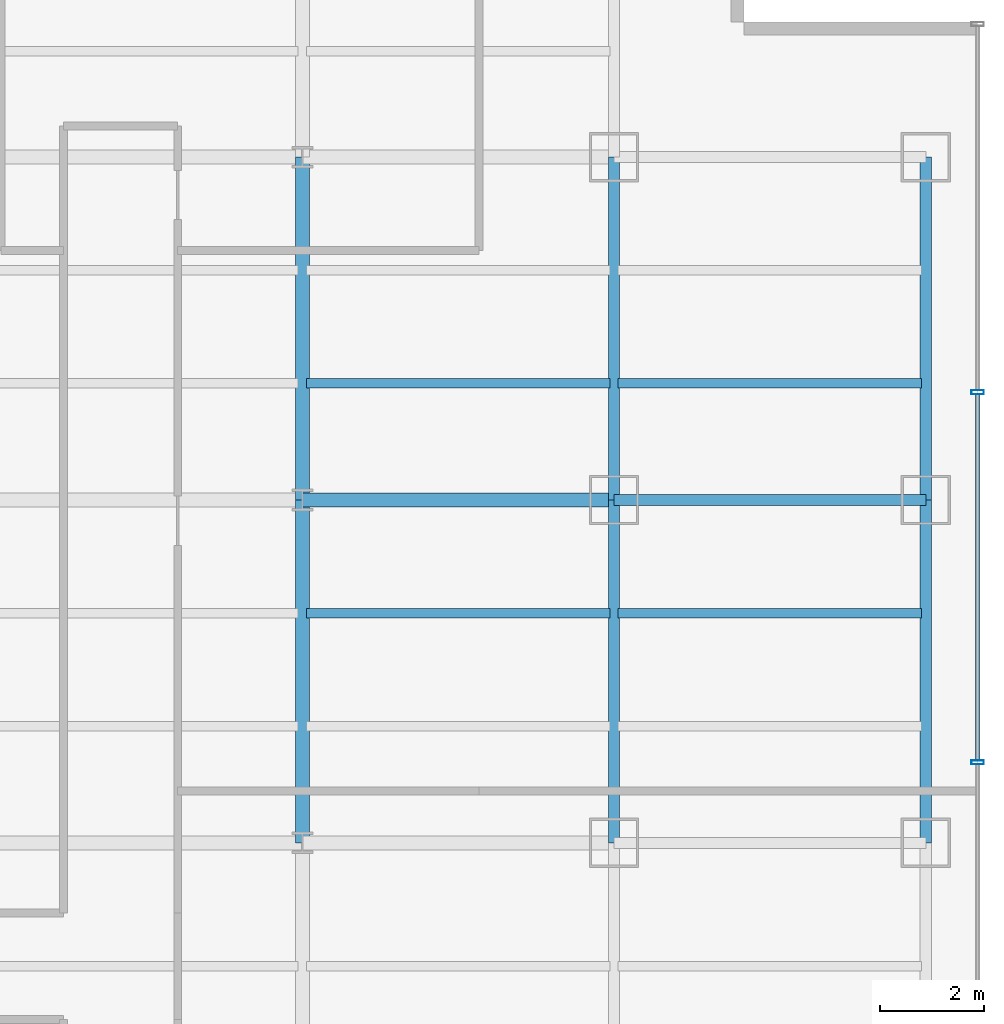
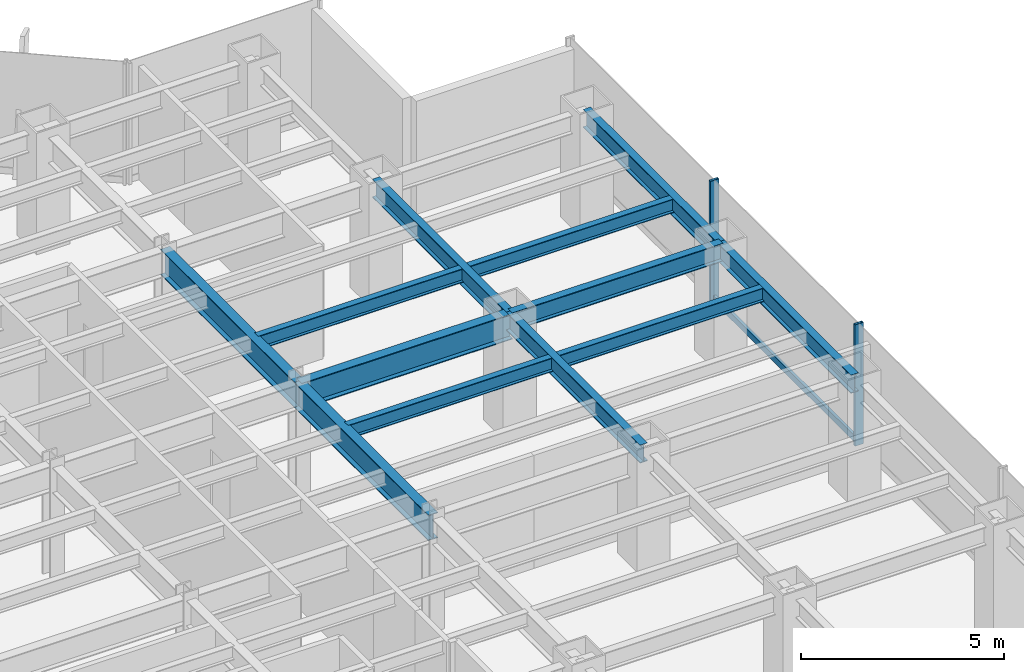
# One storey, part 9 of 22: 12 beams, 3 members, 1 element without a shape of its own.
"""IFC4 building model written with IfcOpenShell, lengths in metres."""

from ifc_helpers import new_model, si_unit, derived_unit, direction, frame, origin, origin_2d, place, context, subcontext, project, spatial, hollow_rectangle, i_section, extrude, source, transform, mapped, material, material_profile, profile_set, type_object, element, aggregate, save


model = new_model("IFC4")

# Units and contexts
model_context = context("Model", 3, precision=1e-05, world=origin(), true_north=direction((0.0, 1.0)))
body_context = subcontext(model_context, "Body", "Model", "MODEL_VIEW")
ifc_project = project(units=[si_unit("LENGTHUNIT", "METRE"), si_unit("AREAUNIT", "SQUARE_METRE"), si_unit("VOLUMEUNIT", "CUBIC_METRE"), si_unit("PLANEANGLEUNIT", "RADIAN"), si_unit("MASSUNIT", "GRAM", prefix="KILO"), derived_unit("THERMALTRANSMITTANCEUNIT", [(si_unit("POWERUNIT", "WATT"), 1), (si_unit("LENGTHUNIT", "METRE"), -2), (si_unit("THERMODYNAMICTEMPERATUREUNIT", "KELVIN"), -1)])], contexts=[model_context])

# Site, building, storey
site_placement = place(None, origin())
site = spatial("IfcSite", under=ifc_project, at=site_placement, CompositionType="ELEMENT")
building_placement = place(site_placement, origin())
building = spatial("IfcBuilding", under=site, at=building_placement, Name="Skarnbrae Concourse Arena and Tower", CompositionType="ELEMENT")
storey_placement = place(building_placement, frame((0.0, 0.0, 58.050048828125)))
storey = spatial("IfcBuildingStorey", under=building, at=storey_placement, Name="L13", CompositionType="ELEMENT", Elevation=58.050048828125)

# Beams
ifc_material_1 = material(Name="Steel CSA G40.21 350W", Category="steel")
ifc_material_profile_1 = material_profile(ifc_material_1, i_section(OverallWidth=0.214111328125, OverallDepth=0.549072265625, WebThickness=0.0146484375, FlangeThickness=0.023681640625, at=origin_2d()), Name="W530X138")
ifc_profile_set_1 = profile_set([ifc_material_profile_1], Name="Steel CSA G40.21 350W")
beam_type_1 = type_object("IfcBeamType", Name="BM-SPAN-W530X138", PredefinedType="SPANDREL", material=ifc_profile_set_1)
shared_shape_1 = source(origin(), body_context, "Body", "SweptSolid", [
    extrude(i_section(OverallWidth=0.214111328125, OverallDepth=0.549072265625, WebThickness=0.0146484375, FlangeThickness=0.023681640625, at=origin_2d()), origin(), (0.0, 0.0, 1.0), 6.0),
])
beam_1_placement = place(storey_placement, frame((55.0, 27.800048828125, 3.12548828125), z_axis=(1.0, 0.0, 0.0), x_axis=(0.0, 1.0, 0.0)))
element("IfcBeam", 1, at=beam_1_placement, inside=storey, type_object=beam_type_1, Name="L13 Perimeter spandrel Y27.8-9", PredefinedType="SPANDREL", context=body_context, shape_type="MappedRepresentation", body=[
    mapped(shared_shape_1, transform((0.0, 0.0, 0.0))),
])
ifc_material_profile_2 = material_profile(ifc_material_1, i_section(OverallWidth=0.26806640625, OverallDepth=0.77001953125, WebThickness=0.015625, FlangeThickness=0.025390625, at=origin_2d()), Name="W760X196")
ifc_profile_set_2 = profile_set([ifc_material_profile_2], Name="Steel CSA G40.21 350W")
beam_type_2 = type_object("IfcBeamType", Name="BM-GIRD-W760X196", PredefinedType="BEAM", material=ifc_profile_set_2)
shared_shape_2 = source(origin(), body_context, "Body", "SweptSolid", [
    extrude(i_section(OverallWidth=0.26806640625, OverallDepth=0.77001953125, WebThickness=0.015625, FlangeThickness=0.025390625, at=origin_2d()), origin(), (0.0, 0.0, 1.0), 6.60009765625),
])
beam_2_placement = place(storey_placement, frame((49.0, 21.199951171875, 3.014892578125), z_axis=(0.0, 1.0, 0.0), x_axis=(-1.0, 0.0, 0.0)))
element("IfcBeam", 2, at=beam_2_placement, inside=storey, type_object=beam_type_2, Name="L13 Primary N-S girder X49.0-3", PredefinedType="BEAM", context=body_context, shape_type="MappedRepresentation", body=[
    mapped(shared_shape_2, transform((0.0, 0.0, 0.0))),
])
shared_shape_3 = source(origin(), body_context, "Body", "SweptSolid", [
    extrude(i_section(OverallWidth=0.26806640625, OverallDepth=0.77001953125, WebThickness=0.015625, FlangeThickness=0.025390625, at=origin_2d()), origin(), (0.0, 0.0, 1.0), 6.0),
])
beam_3_placement = place(storey_placement, frame((49.0, 27.800048828125, 3.014892578125), z_axis=(1.0, 0.0, 0.0), x_axis=(0.0, 1.0, 0.0)))
element("IfcBeam", 3, at=beam_3_placement, inside=storey, type_object=beam_type_2, Name="L13 Primary E-W girder Y27.8-8", PredefinedType="BEAM", context=body_context, shape_type="MappedRepresentation", body=[
    mapped(shared_shape_3, transform((0.0, 0.0, 0.0))),
])
shared_shape_4 = source(origin(), body_context, "Body", "SweptSolid", [
    extrude(i_section(OverallWidth=0.214111328125, OverallDepth=0.549072265625, WebThickness=0.0146484375, FlangeThickness=0.023681640625, at=origin_2d()), origin(), (0.0, 0.0, 1.0), 6.60009765625),
])
for number, where, z_axis, x_axis, name in (
    (4, (55.0, 21.199951171875, 3.12548828125), (0.0, 1.0, 0.0), (-1.0, 0.0, 0.0), "L13 Perimeter spandrel X55.0-3"),
    (5, (61.0, 21.199951171875, 3.12548828125), (0.0, 1.0, 0.0), (-1.0, 0.0, 0.0), "L13 Perimeter spandrel X61.0-3"),
):
    element("IfcBeam", number, at=place(storey_placement, frame(where, z_axis=z_axis, x_axis=x_axis)), inside=storey, type_object=beam_type_1, Name=name, PredefinedType="SPANDREL", context=body_context, shape_type="MappedRepresentation", body=[
        mapped(shared_shape_4, transform((0.0, 0.0, 0.0))),
    ])
shared_shape_5 = source(origin(), body_context, "Body", "SweptSolid", [
    extrude(i_section(OverallWidth=0.214111328125, OverallDepth=0.549072265625, WebThickness=0.0146484375, FlangeThickness=0.023681640625, at=origin_2d()), origin(), (0.0, 0.0, 1.0), 6.599853515625),
])
for number, where, z_axis, x_axis, name in (
    (6, (55.0, 27.800048828125, 3.12548828125), (0.0, 1.0, 0.0), (-1.0, 0.0, 0.0), "L13 Perimeter spandrel X55.0-4"),
    (7, (61.0, 27.800048828125, 3.12548828125), (0.0, 1.0, 0.0), (-1.0, 0.0, 0.0), "L13 Perimeter spandrel X61.0-4"),
):
    element("IfcBeam", number, at=place(storey_placement, frame(where, z_axis=z_axis, x_axis=x_axis)), inside=storey, type_object=beam_type_1, Name=name, PredefinedType="SPANDREL", context=body_context, shape_type="MappedRepresentation", body=[
        mapped(shared_shape_5, transform((0.0, 0.0, 0.0))),
    ])
shared_shape_6 = source(origin(), body_context, "Body", "SweptSolid", [
    extrude(i_section(OverallWidth=0.26806640625, OverallDepth=0.77001953125, WebThickness=0.015625, FlangeThickness=0.025390625, at=origin_2d()), origin(), (0.0, 0.0, 1.0), 6.599853515625),
])
beam_4_placement = place(storey_placement, frame((49.0, 27.800048828125, 3.014892578125), z_axis=(0.0, 1.0, 0.0), x_axis=(-1.0, 0.0, 0.0)))
element("IfcBeam", 8, at=beam_4_placement, inside=storey, type_object=beam_type_2, Name="L13 Primary N-S girder X49.0-4", PredefinedType="BEAM", context=body_context, shape_type="MappedRepresentation", body=[
    mapped(shared_shape_6, transform((0.0, 0.0, 0.0))),
])
ifc_material_profile_3 = material_profile(ifc_material_1, i_section(OverallWidth=0.180908203125, OverallDepth=0.4169921875, WebThickness=0.010986328125, FlangeThickness=0.018310546875, at=origin_2d()), Name="W410X85")
ifc_profile_set_3 = profile_set([ifc_material_profile_3], Name="Steel CSA G40.21 350W")
beam_type_3 = type_object("IfcBeamType", Name="BM-JOIST-W410X85", PredefinedType="JOIST", material=ifc_profile_set_3)
shared_shape_7 = source(origin(), body_context, "Body", "SweptSolid", [
    extrude(i_section(OverallWidth=0.180908203125, OverallDepth=0.4169921875, WebThickness=0.010986328125, FlangeThickness=0.018310546875, at=origin_2d()), origin(), (0.0, 0.0, 1.0), 5.83984375),
])
for number, where, z_axis, x_axis, name in (
    (9, (49.080078125, 25.6220703125, 3.19140625), (1.0, 0.0, 0.0), (0.0, 1.0, 0.0), "L13 Secondary floor joist 2.2.8"),
    (10, (55.080078125, 25.6220703125, 3.19140625), (1.0, 0.0, 0.0), (0.0, 1.0, 0.0), "L13 Secondary floor joist 2.2.9"),
    (11, (49.080078125, 30.0439453125, 3.19140625), (1.0, 0.0, 0.0), (0.0, 1.0, 0.0), "L13 Secondary floor joist 3.1.8"),
    (12, (55.080078125, 30.0439453125, 3.19140625), (1.0, 0.0, 0.0), (0.0, 1.0, 0.0), "L13 Secondary floor joist 3.1.9"),
):
    element("IfcBeam", number, at=place(storey_placement, frame(where, z_axis=z_axis, x_axis=x_axis)), inside=storey, type_object=beam_type_3, Name=name, PredefinedType="JOIST", context=body_context, shape_type="MappedRepresentation", body=[
        mapped(shared_shape_7, transform((0.0, 0.0, 0.0))),
    ])

# Curtain wall, members
ifc_material_2 = material(Name="Bronze anodised aluminium 6063-T6", Category="aluminium")
curtain_wall_type = type_object("IfcCurtainWallType", Name="CW-SYS-02-LOWZONE", PredefinedType="USERDEFINED", material=ifc_material_2)
curtain_wall_placement = place(storey_placement, origin())
curtain_wall = element("IfcCurtainWall", 13, at=curtain_wall_placement, inside=storey, type_object=curtain_wall_type, Name="L13 Unitised curtain wall CW-L13-E04", ObjectType="UNITISED CURTAIN WALL", PredefinedType="USERDEFINED")
ifc_material_profile_4 = material_profile(ifc_material_2, hollow_rectangle(XDim=0.080078125, YDim=0.239990234375, WallThickness=0.0048828125, at=origin_2d()), Name="ALU-MULL-80X240")
ifc_profile_set_4 = profile_set([ifc_material_profile_4], Name="Bronze anodised aluminium 6063-T6")
member_type_1 = type_object("IfcMemberType", Name="CWM-CW-02", PredefinedType="MULLION", material=ifc_profile_set_4)
shared_shape_8 = source(origin(), body_context, "Body", "SweptSolid", [
    extrude(hollow_rectangle(XDim=0.080078125, YDim=0.239990234375, WallThickness=0.0048828125, at=origin_2d()), origin(), (0.0, 0.0, 1.0), 3.64990234375),
])
member_1_placement = place(storey_placement, frame((62.0, 22.75, 0.0), z_axis=(0.0, 0.0, 1.0), x_axis=(0.0, 1.0, 0.0)))
member_1 = element("IfcMember", 14, at=member_1_placement, type_object=member_type_1, Name="CW-L13-E04 Mullion 3", PredefinedType="MULLION", context=body_context, shape_type="MappedRepresentation", body=[
    mapped(shared_shape_8, transform((0.0, 0.0, 0.0))),
])
member_2_placement = place(storey_placement, frame((62.0, 29.875, 0.0), z_axis=(0.0, 0.0, 1.0), x_axis=(0.0, 1.0, 0.0)))
member_2 = element("IfcMember", 15, at=member_2_placement, type_object=member_type_1, Name="CW-L13-E04 Mullion 4", PredefinedType="MULLION", context=body_context, shape_type="MappedRepresentation", body=[
    mapped(shared_shape_8, transform((0.0, 0.0, 0.0))),
])
ifc_material_profile_5 = material_profile(ifc_material_2, hollow_rectangle(XDim=0.080078125, YDim=0.18994140625, WallThickness=0.0048828125, at=origin_2d()), Name="ALU-TRAN-80X190")
ifc_profile_set_5 = profile_set([ifc_material_profile_5], Name="Bronze anodised aluminium 6063-T6")
member_type_2 = type_object("IfcMemberType", Name="CWT-CW-02", PredefinedType="USERDEFINED", material=ifc_profile_set_5)
shared_shape_9 = source(origin(), body_context, "Body", "SweptSolid", [
    extrude(hollow_rectangle(XDim=0.080078125, YDim=0.18994140625, WallThickness=0.0048828125, at=origin_2d()), origin(), (0.0, 0.0, 1.0), 7.044921875),
])
member_3_placement = place(storey_placement, frame((62.0, 22.7900390625, 0.094970703125), z_axis=(0.0, 1.0, 0.0), x_axis=(-1.0, 0.0, 0.0)))
member_3 = element("IfcMember", 16, at=member_3_placement, type_object=member_type_2, Name="CW-L13-E04 Transom 3", ObjectType="TRANSOM", PredefinedType="USERDEFINED", context=body_context, shape_type="MappedRepresentation", body=[
    mapped(shared_shape_9, transform((0.0, 0.0, 0.0))),
])
aggregate(curtain_wall, [member_1, member_2, member_3])

save(model, "model.ifc")
